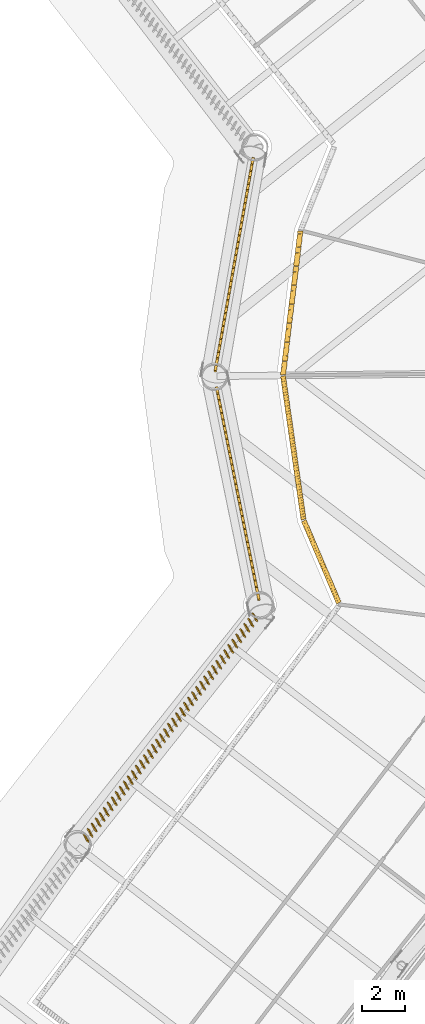
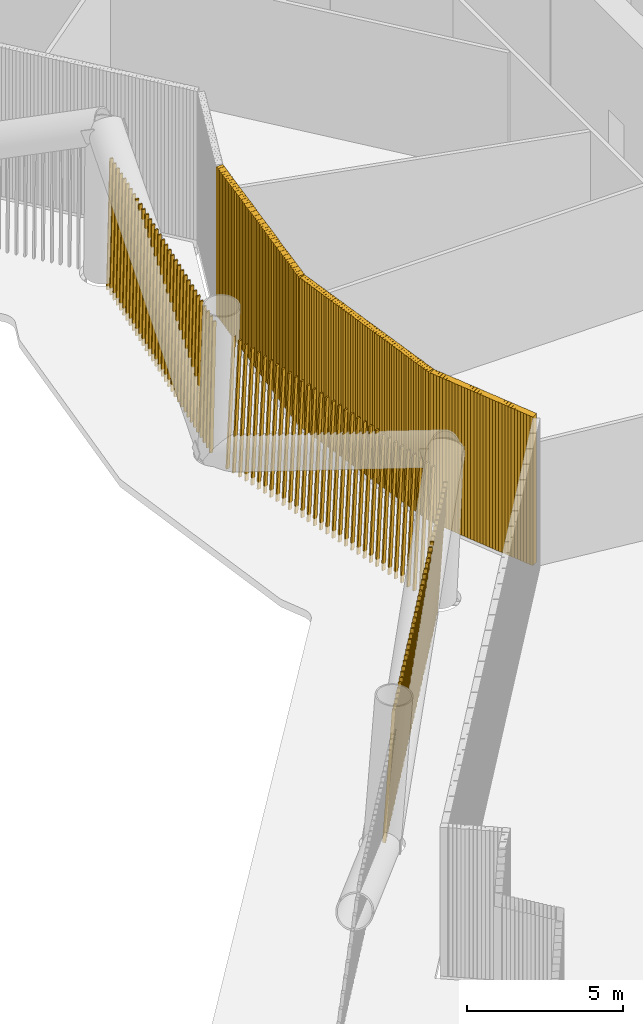
# One storey, part 39 of 48: 6 shading devices.
"""IFC4 building model written with IfcOpenShell, lengths in metres."""

from ifc_helpers import new_model, si_unit, direction, frame, frame_2d, origin, place, context, subcontext, project, spatial, rectangle, composite_profile, extrude, material, type_object, element, save


model = new_model("IFC4")

# Units and contexts
model_context = context("Model", 3, precision=1e-05, world=origin(), true_north=direction((0.0, 1.0)))
body_context = subcontext(model_context, "Body", "Model", "MODEL_VIEW")
ifc_project = project(units=[si_unit("LENGTHUNIT", "METRE"), si_unit("AREAUNIT", "SQUARE_METRE"), si_unit("VOLUMEUNIT", "CUBIC_METRE"), si_unit("PLANEANGLEUNIT", "RADIAN"), si_unit("MASSUNIT", "GRAM", prefix="KILO")], contexts=[model_context])

# Site, building, storey
site_placement = place(None, origin())
site = spatial("IfcSite", under=ifc_project, at=site_placement, CompositionType="ELEMENT")
building_placement = place(site_placement, origin())
building = spatial("IfcBuilding", under=site, at=building_placement, Name="Tarsis Ring Headquarters", CompositionType="ELEMENT")
storey_placement = place(building_placement, frame((0.0, 0.0, 34.0)))
storey = spatial("IfcBuildingStorey", under=building, at=storey_placement, Name="L06", CompositionType="ELEMENT", Elevation=34.0)

# Shading devices
ifc_material_1 = material(Name="Aluminium louvre", Category="aluminium")
shading_device_type_1 = type_object("IfcShadingDeviceType", Name="Plant louvre fin", PredefinedType="USERDEFINED", material=ifc_material_1)
shading_device_1_placement = place(storey_placement, frame((-25.06298828125, 6.418212890625, 0.0), z_axis=(0.0, 0.0, 1.0), x_axis=(-0.120155461117, -0.992771784534, 0.0)))
element("IfcShadingDevice", 1, at=shading_device_1_placement, inside=storey, type_object=shading_device_type_1, Name="Louvre L06-03", ObjectType="Louvre", PredefinedType="USERDEFINED", context=body_context, shape_type="SweptSolid", body=[
    extrude(composite_profile([rectangle(XDim=0.1201171875, YDim=0.239990234375, at=frame_2d((0.076171875, 0.0), x_axis=(0.990268068742, 0.13917310096))), rectangle(XDim=0.1201171875, YDim=0.239990234375, at=frame_2d((0.202392578125, 0.0), x_axis=(0.990268068742, 0.13917310096))), rectangle(XDim=0.1201171875, YDim=0.239990234375, at=frame_2d((0.328857421875, 0.0), x_axis=(0.990268068742, 0.13917310096))), rectangle(XDim=0.1201171875, YDim=0.239990234375, at=frame_2d((0.455078125, 0.0), x_axis=(0.990268068742, 0.13917310096))), rectangle(XDim=0.1201171875, YDim=0.239990234375, at=frame_2d((0.58154296875, 0.0), x_axis=(0.990268068742, 0.13917310096))), rectangle(XDim=0.1201171875, YDim=0.239990234375, at=frame_2d((0.707763671875, 0.0), x_axis=(0.990268068742, 0.13917310096))), rectangle(XDim=0.1201171875, YDim=0.239990234375, at=frame_2d((0.834228515625, 0.0), x_axis=(0.990268068742, 0.13917310096))), rectangle(XDim=0.1201171875, YDim=0.239990234375, at=frame_2d((0.96044921875, 0.0), x_axis=(0.990268068742, 0.13917310096))), rectangle(XDim=0.1201171875, YDim=0.239990234375, at=frame_2d((1.0869140625, 0.0), x_axis=(0.990268068742, 0.13917310096))), rectangle(XDim=0.1201171875, YDim=0.239990234375, at=frame_2d((1.213134765625, 0.0), x_axis=(0.990268068742, 0.13917310096))), rectangle(XDim=0.1201171875, YDim=0.239990234375, at=frame_2d((1.33935546875, 0.0), x_axis=(0.990268068742, 0.13917310096))), rectangle(XDim=0.1201171875, YDim=0.239990234375, at=frame_2d((1.4658203125, 0.0), x_axis=(0.990268068742, 0.13917310096))), rectangle(XDim=0.1201171875, YDim=0.239990234375, at=frame_2d((1.592041015625, 0.0), x_axis=(0.990268068742, 0.13917310096))), rectangle(XDim=0.1201171875, YDim=0.239990234375, at=frame_2d((1.718505859375, 0.0), x_axis=(0.990268068742, 0.13917310096))), rectangle(XDim=0.1201171875, YDim=0.239990234375, at=frame_2d((1.8447265625, 0.0), x_axis=(0.990268068742, 0.13917310096))), rectangle(XDim=0.1201171875, YDim=0.239990234375, at=frame_2d((1.97119140625, 0.0), x_axis=(0.990268068742, 0.13917310096))), rectangle(XDim=0.1201171875, YDim=0.239990234375, at=frame_2d((2.097412109375, 0.0), x_axis=(0.990268068742, 0.13917310096))), rectangle(XDim=0.1201171875, YDim=0.239990234375, at=frame_2d((2.223876953125, 0.0), x_axis=(0.990268068742, 0.13917310096))), rectangle(XDim=0.1201171875, YDim=0.239990234375, at=frame_2d((2.35009765625, 0.0), x_axis=(0.990268068742, 0.13917310096))), rectangle(XDim=0.1201171875, YDim=0.239990234375, at=frame_2d((2.476318359375, 0.0), x_axis=(0.990268068742, 0.13917310096))), rectangle(XDim=0.1201171875, YDim=0.239990234375, at=frame_2d((2.602783203125, 0.0), x_axis=(0.990268068742, 0.13917310096))), rectangle(XDim=0.1201171875, YDim=0.239990234375, at=frame_2d((2.72900390625, 0.0), x_axis=(0.990268068742, 0.13917310096))), rectangle(XDim=0.1201171875, YDim=0.239990234375, at=frame_2d((2.85546875, 0.0), x_axis=(0.990268068742, 0.13917310096))), rectangle(XDim=0.1201171875, YDim=0.239990234375, at=frame_2d((2.981689453125, 0.0), x_axis=(0.990268068742, 0.13917310096))), rectangle(XDim=0.1201171875, YDim=0.239990234375, at=frame_2d((3.108154296875, 0.0), x_axis=(0.990268068742, 0.13917310096))), rectangle(XDim=0.1201171875, YDim=0.239990234375, at=frame_2d((3.234375, 0.0), x_axis=(0.990268068742, 0.13917310096))), rectangle(XDim=0.1201171875, YDim=0.239990234375, at=frame_2d((3.36083984375, 0.0), x_axis=(0.990268068742, 0.13917310096))), rectangle(XDim=0.1201171875, YDim=0.239990234375, at=frame_2d((3.487060546875, 0.0), x_axis=(0.990268068742, 0.13917310096))), rectangle(XDim=0.1201171875, YDim=0.239990234375, at=frame_2d((3.61328125, 0.0), x_axis=(0.990268068742, 0.13917310096))), rectangle(XDim=0.1201171875, YDim=0.239990234375, at=frame_2d((3.73974609375, 0.0), x_axis=(0.990268068742, 0.13917310096))), rectangle(XDim=0.1201171875, YDim=0.239990234375, at=frame_2d((3.865966796875, 0.0), x_axis=(0.990268068742, 0.13917310096))), rectangle(XDim=0.1201171875, YDim=0.239990234375, at=frame_2d((3.992431640625, 0.0), x_axis=(0.990268068742, 0.13917310096))), rectangle(XDim=0.1201171875, YDim=0.239990234375, at=frame_2d((4.11865234375, 0.0), x_axis=(0.990268068742, 0.13917310096))), rectangle(XDim=0.1201171875, YDim=0.239990234375, at=frame_2d((4.2451171875, 0.0), x_axis=(0.990268068742, 0.13917310096))), rectangle(XDim=0.1201171875, YDim=0.239990234375, at=frame_2d((4.371337890625, 0.0), x_axis=(0.990268068742, 0.13917310096))), rectangle(XDim=0.1201171875, YDim=0.239990234375, at=frame_2d((4.49755859375, 0.0), x_axis=(0.990268068742, 0.13917310096))), rectangle(XDim=0.1201171875, YDim=0.239990234375, at=frame_2d((4.6240234375, 0.0), x_axis=(0.990268068742, 0.13917310096))), rectangle(XDim=0.1201171875, YDim=0.239990234375, at=frame_2d((4.750244140625, 0.0), x_axis=(0.990268068742, 0.13917310096))), rectangle(XDim=0.1201171875, YDim=0.239990234375, at=frame_2d((4.876708984375, 0.0), x_axis=(0.990268068742, 0.13917310096))), rectangle(XDim=0.1201171875, YDim=0.239990234375, at=frame_2d((5.0029296875, 0.0), x_axis=(0.990268068742, 0.13917310096))), rectangle(XDim=0.1201171875, YDim=0.239990234375, at=frame_2d((5.12939453125, 0.0), x_axis=(0.990268068742, 0.13917310096))), rectangle(XDim=0.1201171875, YDim=0.239990234375, at=frame_2d((5.255615234375, 0.0), x_axis=(0.990268068742, 0.13917310096))), rectangle(XDim=0.1201171875, YDim=0.239990234375, at=frame_2d((5.382080078125, 0.0), x_axis=(0.990268068742, 0.13917310096))), rectangle(XDim=0.1201171875, YDim=0.239990234375, at=frame_2d((5.50830078125, 0.0), x_axis=(0.990268068742, 0.13917310096))), rectangle(XDim=0.1201171875, YDim=0.239990234375, at=frame_2d((5.634521484375, 0.0), x_axis=(0.990268068742, 0.13917310096))), rectangle(XDim=0.1201171875, YDim=0.239990234375, at=frame_2d((5.760986328125, 0.0), x_axis=(0.990268068742, 0.13917310096))), rectangle(XDim=0.1201171875, YDim=0.239990234375, at=frame_2d((5.88720703125, 0.0), x_axis=(0.990268068742, 0.13917310096))), rectangle(XDim=0.1201171875, YDim=0.239990234375, at=frame_2d((6.013671875, 0.0), x_axis=(0.990268068742, 0.13917310096))), rectangle(XDim=0.1201171875, YDim=0.239990234375, at=frame_2d((6.139892578125, 0.0), x_axis=(0.990268068742, 0.13917310096))), rectangle(XDim=0.1201171875, YDim=0.239990234375, at=frame_2d((6.266357421875, 0.0), x_axis=(0.990268068742, 0.13917310096))), rectangle(XDim=0.1201171875, YDim=0.239990234375, at=frame_2d((6.392578125, 0.0), x_axis=(0.990268068742, 0.13917310096))), rectangle(XDim=0.1201171875, YDim=0.239990234375, at=frame_2d((6.51904296875, 0.0), x_axis=(0.990268068742, 0.13917310096))), rectangle(XDim=0.1201171875, YDim=0.239990234375, at=frame_2d((6.645263671875, 0.0), x_axis=(0.990268068742, 0.13917310096)))]), origin(), (0.0, 0.0, 1.0), 5.840087890625),
])
shading_device_2_placement = place(storey_placement, frame((-25.8701171875, -0.287353515625, 0.0), z_axis=(0.0, 0.0, 1.0), x_axis=(0.140895717555, -0.990011260034, 0.0)))
element("IfcShadingDevice", 2, at=shading_device_2_placement, inside=storey, type_object=shading_device_type_1, Name="Louvre L06-04", ObjectType="Louvre", PredefinedType="USERDEFINED", context=body_context, shape_type="SweptSolid", body=[
    extrude(composite_profile([rectangle(XDim=0.1201171875, YDim=0.239990234375, at=frame_2d((0.076171875, 0.0), x_axis=(0.990268068742, 0.13917310096))), rectangle(XDim=0.1201171875, YDim=0.239990234375, at=frame_2d((0.202392578125, 0.0), x_axis=(0.990268068742, 0.13917310096))), rectangle(XDim=0.1201171875, YDim=0.239990234375, at=frame_2d((0.328857421875, 0.0), x_axis=(0.990268068742, 0.13917310096))), rectangle(XDim=0.1201171875, YDim=0.239990234375, at=frame_2d((0.455078125, 0.0), x_axis=(0.990268068742, 0.13917310096))), rectangle(XDim=0.1201171875, YDim=0.239990234375, at=frame_2d((0.58154296875, 0.0), x_axis=(0.990268068742, 0.13917310096))), rectangle(XDim=0.1201171875, YDim=0.239990234375, at=frame_2d((0.707763671875, 0.0), x_axis=(0.990268068742, 0.13917310096))), rectangle(XDim=0.1201171875, YDim=0.239990234375, at=frame_2d((0.834228515625, 0.0), x_axis=(0.990268068742, 0.13917310096))), rectangle(XDim=0.1201171875, YDim=0.239990234375, at=frame_2d((0.96044921875, 0.0), x_axis=(0.990268068742, 0.13917310096))), rectangle(XDim=0.1201171875, YDim=0.239990234375, at=frame_2d((1.0869140625, 0.0), x_axis=(0.990268068742, 0.13917310096))), rectangle(XDim=0.1201171875, YDim=0.239990234375, at=frame_2d((1.213134765625, 0.0), x_axis=(0.990268068742, 0.13917310096))), rectangle(XDim=0.1201171875, YDim=0.239990234375, at=frame_2d((1.33935546875, 0.0), x_axis=(0.990268068742, 0.13917310096))), rectangle(XDim=0.1201171875, YDim=0.239990234375, at=frame_2d((1.4658203125, 0.0), x_axis=(0.990268068742, 0.13917310096))), rectangle(XDim=0.1201171875, YDim=0.239990234375, at=frame_2d((1.592041015625, 0.0), x_axis=(0.990268068742, 0.13917310096))), rectangle(XDim=0.1201171875, YDim=0.239990234375, at=frame_2d((1.718505859375, 0.0), x_axis=(0.990268068742, 0.13917310096))), rectangle(XDim=0.1201171875, YDim=0.239990234375, at=frame_2d((1.8447265625, 0.0), x_axis=(0.990268068742, 0.13917310096))), rectangle(XDim=0.1201171875, YDim=0.239990234375, at=frame_2d((1.97119140625, 0.0), x_axis=(0.990268068742, 0.13917310096))), rectangle(XDim=0.1201171875, YDim=0.239990234375, at=frame_2d((2.097412109375, 0.0), x_axis=(0.990268068742, 0.13917310096))), rectangle(XDim=0.1201171875, YDim=0.239990234375, at=frame_2d((2.223876953125, 0.0), x_axis=(0.990268068742, 0.13917310096))), rectangle(XDim=0.1201171875, YDim=0.239990234375, at=frame_2d((2.35009765625, 0.0), x_axis=(0.990268068742, 0.13917310096))), rectangle(XDim=0.1201171875, YDim=0.239990234375, at=frame_2d((2.476318359375, 0.0), x_axis=(0.990268068742, 0.13917310096))), rectangle(XDim=0.1201171875, YDim=0.239990234375, at=frame_2d((2.602783203125, 0.0), x_axis=(0.990268068742, 0.13917310096))), rectangle(XDim=0.1201171875, YDim=0.239990234375, at=frame_2d((2.72900390625, 0.0), x_axis=(0.990268068742, 0.13917310096))), rectangle(XDim=0.1201171875, YDim=0.239990234375, at=frame_2d((2.85546875, 0.0), x_axis=(0.990268068742, 0.13917310096))), rectangle(XDim=0.1201171875, YDim=0.239990234375, at=frame_2d((2.981689453125, 0.0), x_axis=(0.990268068742, 0.13917310096))), rectangle(XDim=0.1201171875, YDim=0.239990234375, at=frame_2d((3.108154296875, 0.0), x_axis=(0.990268068742, 0.13917310096))), rectangle(XDim=0.1201171875, YDim=0.239990234375, at=frame_2d((3.234375, 0.0), x_axis=(0.990268068742, 0.13917310096))), rectangle(XDim=0.1201171875, YDim=0.239990234375, at=frame_2d((3.36083984375, 0.0), x_axis=(0.990268068742, 0.13917310096))), rectangle(XDim=0.1201171875, YDim=0.239990234375, at=frame_2d((3.487060546875, 0.0), x_axis=(0.990268068742, 0.13917310096))), rectangle(XDim=0.1201171875, YDim=0.239990234375, at=frame_2d((3.61328125, 0.0), x_axis=(0.990268068742, 0.13917310096))), rectangle(XDim=0.1201171875, YDim=0.239990234375, at=frame_2d((3.73974609375, 0.0), x_axis=(0.990268068742, 0.13917310096))), rectangle(XDim=0.1201171875, YDim=0.239990234375, at=frame_2d((3.865966796875, 0.0), x_axis=(0.990268068742, 0.13917310096))), rectangle(XDim=0.1201171875, YDim=0.239990234375, at=frame_2d((3.992431640625, 0.0), x_axis=(0.990268068742, 0.13917310096))), rectangle(XDim=0.1201171875, YDim=0.239990234375, at=frame_2d((4.11865234375, 0.0), x_axis=(0.990268068742, 0.13917310096))), rectangle(XDim=0.1201171875, YDim=0.239990234375, at=frame_2d((4.2451171875, 0.0), x_axis=(0.990268068742, 0.13917310096))), rectangle(XDim=0.1201171875, YDim=0.239990234375, at=frame_2d((4.371337890625, 0.0), x_axis=(0.990268068742, 0.13917310096))), rectangle(XDim=0.1201171875, YDim=0.239990234375, at=frame_2d((4.49755859375, 0.0), x_axis=(0.990268068742, 0.13917310096))), rectangle(XDim=0.1201171875, YDim=0.239990234375, at=frame_2d((4.6240234375, 0.0), x_axis=(0.990268068742, 0.13917310096))), rectangle(XDim=0.1201171875, YDim=0.239990234375, at=frame_2d((4.750244140625, 0.0), x_axis=(0.990268068742, 0.13917310096))), rectangle(XDim=0.1201171875, YDim=0.239990234375, at=frame_2d((4.876708984375, 0.0), x_axis=(0.990268068742, 0.13917310096))), rectangle(XDim=0.1201171875, YDim=0.239990234375, at=frame_2d((5.0029296875, 0.0), x_axis=(0.990268068742, 0.13917310096))), rectangle(XDim=0.1201171875, YDim=0.239990234375, at=frame_2d((5.12939453125, 0.0), x_axis=(0.990268068742, 0.13917310096))), rectangle(XDim=0.1201171875, YDim=0.239990234375, at=frame_2d((5.255615234375, 0.0), x_axis=(0.990268068742, 0.13917310096))), rectangle(XDim=0.1201171875, YDim=0.239990234375, at=frame_2d((5.382080078125, 0.0), x_axis=(0.990268068742, 0.13917310096))), rectangle(XDim=0.1201171875, YDim=0.239990234375, at=frame_2d((5.50830078125, 0.0), x_axis=(0.990268068742, 0.13917310096))), rectangle(XDim=0.1201171875, YDim=0.239990234375, at=frame_2d((5.634521484375, 0.0), x_axis=(0.990268068742, 0.13917310096))), rectangle(XDim=0.1201171875, YDim=0.239990234375, at=frame_2d((5.760986328125, 0.0), x_axis=(0.990268068742, 0.13917310096))), rectangle(XDim=0.1201171875, YDim=0.239990234375, at=frame_2d((5.88720703125, 0.0), x_axis=(0.990268068742, 0.13917310096))), rectangle(XDim=0.1201171875, YDim=0.239990234375, at=frame_2d((6.013671875, 0.0), x_axis=(0.990268068742, 0.13917310096))), rectangle(XDim=0.1201171875, YDim=0.239990234375, at=frame_2d((6.139892578125, 0.0), x_axis=(0.990268068742, 0.13917310096))), rectangle(XDim=0.1201171875, YDim=0.239990234375, at=frame_2d((6.266357421875, 0.0), x_axis=(0.990268068742, 0.13917310096))), rectangle(XDim=0.1201171875, YDim=0.239990234375, at=frame_2d((6.392578125, 0.0), x_axis=(0.990268068742, 0.13917310096))), rectangle(XDim=0.1201171875, YDim=0.239990234375, at=frame_2d((6.51904296875, 0.0), x_axis=(0.990268068742, 0.13917310096))), rectangle(XDim=0.1201171875, YDim=0.239990234375, at=frame_2d((6.645263671875, 0.0), x_axis=(0.990268068742, 0.13917310096)))]), origin(), (0.0, 0.0, 1.0), 5.840087890625),
])
shading_device_3_placement = place(storey_placement, frame((-24.914306640625, -6.97314453125, 0.0), z_axis=(0.0, 0.0, 1.0), x_axis=(0.392330729931, -0.919842621411, 0.0)))
element("IfcShadingDevice", 3, at=shading_device_3_placement, inside=storey, type_object=shading_device_type_1, Name="Louvre L06-05", ObjectType="Louvre", PredefinedType="USERDEFINED", context=body_context, shape_type="SweptSolid", body=[
    extrude(composite_profile([rectangle(XDim=0.1201171875, YDim=0.239990234375, at=frame_2d((0.076171875, 0.0), x_axis=(0.990268068742, 0.13917310096))), rectangle(XDim=0.1201171875, YDim=0.239990234375, at=frame_2d((0.201416015625, 0.0), x_axis=(0.990268068742, 0.13917310096))), rectangle(XDim=0.1201171875, YDim=0.239990234375, at=frame_2d((0.326416015625, 0.0), x_axis=(0.990268068742, 0.13917310096))), rectangle(XDim=0.1201171875, YDim=0.239990234375, at=frame_2d((0.45166015625, 0.0), x_axis=(0.990268068742, 0.13917310096))), rectangle(XDim=0.1201171875, YDim=0.239990234375, at=frame_2d((0.576904296875, 0.0), x_axis=(0.990268068742, 0.13917310096))), rectangle(XDim=0.1201171875, YDim=0.239990234375, at=frame_2d((0.701904296875, 0.0), x_axis=(0.990268068742, 0.13917310096))), rectangle(XDim=0.1201171875, YDim=0.239990234375, at=frame_2d((0.8271484375, 0.0), x_axis=(0.990268068742, 0.13917310096))), rectangle(XDim=0.1201171875, YDim=0.239990234375, at=frame_2d((0.952392578125, 0.0), x_axis=(0.990268068742, 0.13917310096))), rectangle(XDim=0.1201171875, YDim=0.239990234375, at=frame_2d((1.077392578125, 0.0), x_axis=(0.990268068742, 0.13917310096))), rectangle(XDim=0.1201171875, YDim=0.239990234375, at=frame_2d((1.20263671875, 0.0), x_axis=(0.990268068742, 0.13917310096))), rectangle(XDim=0.1201171875, YDim=0.239990234375, at=frame_2d((1.327880859375, 0.0), x_axis=(0.990268068742, 0.13917310096))), rectangle(XDim=0.1201171875, YDim=0.239990234375, at=frame_2d((1.452880859375, 0.0), x_axis=(0.990268068742, 0.13917310096))), rectangle(XDim=0.1201171875, YDim=0.239990234375, at=frame_2d((1.578125, 0.0), x_axis=(0.990268068742, 0.13917310096))), rectangle(XDim=0.1201171875, YDim=0.239990234375, at=frame_2d((1.703369140625, 0.0), x_axis=(0.990268068742, 0.13917310096))), rectangle(XDim=0.1201171875, YDim=0.239990234375, at=frame_2d((1.828369140625, 0.0), x_axis=(0.990268068742, 0.13917310096))), rectangle(XDim=0.1201171875, YDim=0.239990234375, at=frame_2d((1.95361328125, 0.0), x_axis=(0.990268068742, 0.13917310096))), rectangle(XDim=0.1201171875, YDim=0.239990234375, at=frame_2d((2.07861328125, 0.0), x_axis=(0.990268068742, 0.13917310096))), rectangle(XDim=0.1201171875, YDim=0.239990234375, at=frame_2d((2.203857421875, 0.0), x_axis=(0.990268068742, 0.13917310096))), rectangle(XDim=0.1201171875, YDim=0.239990234375, at=frame_2d((2.3291015625, 0.0), x_axis=(0.990268068742, 0.13917310096))), rectangle(XDim=0.1201171875, YDim=0.239990234375, at=frame_2d((2.4541015625, 0.0), x_axis=(0.990268068742, 0.13917310096))), rectangle(XDim=0.1201171875, YDim=0.239990234375, at=frame_2d((2.579345703125, 0.0), x_axis=(0.990268068742, 0.13917310096))), rectangle(XDim=0.1201171875, YDim=0.239990234375, at=frame_2d((2.70458984375, 0.0), x_axis=(0.990268068742, 0.13917310096))), rectangle(XDim=0.1201171875, YDim=0.239990234375, at=frame_2d((2.82958984375, 0.0), x_axis=(0.990268068742, 0.13917310096))), rectangle(XDim=0.1201171875, YDim=0.239990234375, at=frame_2d((2.954833984375, 0.0), x_axis=(0.990268068742, 0.13917310096))), rectangle(XDim=0.1201171875, YDim=0.239990234375, at=frame_2d((3.080078125, 0.0), x_axis=(0.990268068742, 0.13917310096))), rectangle(XDim=0.1201171875, YDim=0.239990234375, at=frame_2d((3.205078125, 0.0), x_axis=(0.990268068742, 0.13917310096))), rectangle(XDim=0.1201171875, YDim=0.239990234375, at=frame_2d((3.330322265625, 0.0), x_axis=(0.990268068742, 0.13917310096))), rectangle(XDim=0.1201171875, YDim=0.239990234375, at=frame_2d((3.45556640625, 0.0), x_axis=(0.990268068742, 0.13917310096))), rectangle(XDim=0.1201171875, YDim=0.239990234375, at=frame_2d((3.58056640625, 0.0), x_axis=(0.990268068742, 0.13917310096))), rectangle(XDim=0.1201171875, YDim=0.239990234375, at=frame_2d((3.705810546875, 0.0), x_axis=(0.990268068742, 0.13917310096))), rectangle(XDim=0.1201171875, YDim=0.239990234375, at=frame_2d((3.8310546875, 0.0), x_axis=(0.990268068742, 0.13917310096))), rectangle(XDim=0.1201171875, YDim=0.239990234375, at=frame_2d((3.9560546875, 0.0), x_axis=(0.990268068742, 0.13917310096))), rectangle(XDim=0.1201171875, YDim=0.239990234375, at=frame_2d((4.081298828125, 0.0), x_axis=(0.990268068742, 0.13917310096)))]), origin(), (0.0, 0.0, 1.0), 5.840087890625),
])
ifc_material_2 = material(Name="Terracotta baguette", Category="masonry")
shading_device_type_2 = type_object("IfcShadingDeviceType", Name="Terracotta baguette screen", PredefinedType="USERDEFINED", material=ifc_material_2)
shading_device_4_placement = place(storey_placement, frame((-28.948974609375, -0.79443359375, -0.300048828125), z_axis=(0.0, 0.0, 1.0), x_axis=(0.195677701437, -0.980662086196, 0.0)))
element("IfcShadingDevice", 4, at=shading_device_4_placement, inside=storey, type_object=shading_device_type_2, Name="Baguette screen L06-00", ObjectType="Terracotta baguette screen", PredefinedType="USERDEFINED", context=body_context, shape_type="SweptSolid", body=[
    extrude(composite_profile([rectangle(XDim=0.06005859375, YDim=0.1201171875, at=frame_2d((0.030029296875, 0.0))), rectangle(XDim=0.06005859375, YDim=0.1201171875, at=frame_2d((0.33349609375, 0.0))), rectangle(XDim=0.06005859375, YDim=0.1201171875, at=frame_2d((0.636962890625, 0.0))), rectangle(XDim=0.06005859375, YDim=0.1201171875, at=frame_2d((0.9404296875, 0.0))), rectangle(XDim=0.06005859375, YDim=0.1201171875, at=frame_2d((1.243896484375, 0.0))), rectangle(XDim=0.06005859375, YDim=0.1201171875, at=frame_2d((1.54736328125, 0.0))), rectangle(XDim=0.06005859375, YDim=0.1201171875, at=frame_2d((1.85107421875, 0.0))), rectangle(XDim=0.06005859375, YDim=0.1201171875, at=frame_2d((2.154541015625, 0.0))), rectangle(XDim=0.06005859375, YDim=0.1201171875, at=frame_2d((2.4580078125, 0.0))), rectangle(XDim=0.06005859375, YDim=0.1201171875, at=frame_2d((2.761474609375, 0.0))), rectangle(XDim=0.06005859375, YDim=0.1201171875, at=frame_2d((3.06494140625, 0.0))), rectangle(XDim=0.06005859375, YDim=0.1201171875, at=frame_2d((3.368408203125, 0.0))), rectangle(XDim=0.06005859375, YDim=0.1201171875, at=frame_2d((3.671875, 0.0))), rectangle(XDim=0.06005859375, YDim=0.1201171875, at=frame_2d((3.975341796875, 0.0))), rectangle(XDim=0.06005859375, YDim=0.1201171875, at=frame_2d((4.27880859375, 0.0))), rectangle(XDim=0.06005859375, YDim=0.1201171875, at=frame_2d((4.582275390625, 0.0))), rectangle(XDim=0.06005859375, YDim=0.1201171875, at=frame_2d((4.8857421875, 0.0))), rectangle(XDim=0.06005859375, YDim=0.1201171875, at=frame_2d((5.189453125, 0.0))), rectangle(XDim=0.06005859375, YDim=0.1201171875, at=frame_2d((5.492919921875, 0.0))), rectangle(XDim=0.06005859375, YDim=0.1201171875, at=frame_2d((5.79638671875, 0.0))), rectangle(XDim=0.06005859375, YDim=0.1201171875, at=frame_2d((6.099853515625, 0.0))), rectangle(XDim=0.06005859375, YDim=0.1201171875, at=frame_2d((6.4033203125, 0.0))), rectangle(XDim=0.06005859375, YDim=0.1201171875, at=frame_2d((6.706787109375, 0.0))), rectangle(XDim=0.06005859375, YDim=0.1201171875, at=frame_2d((7.01025390625, 0.0))), rectangle(XDim=0.06005859375, YDim=0.1201171875, at=frame_2d((7.313720703125, 0.0))), rectangle(XDim=0.06005859375, YDim=0.1201171875, at=frame_2d((7.6171875, 0.0))), rectangle(XDim=0.06005859375, YDim=0.1201171875, at=frame_2d((7.920654296875, 0.0))), rectangle(XDim=0.06005859375, YDim=0.1201171875, at=frame_2d((8.224365234375, 0.0))), rectangle(XDim=0.06005859375, YDim=0.1201171875, at=frame_2d((8.52783203125, 0.0))), rectangle(XDim=0.06005859375, YDim=0.1201171875, at=frame_2d((8.831298828125, 0.0))), rectangle(XDim=0.06005859375, YDim=0.1201171875, at=frame_2d((9.134765625, 0.0))), rectangle(XDim=0.06005859375, YDim=0.1201171875, at=frame_2d((9.438232421875, 0.0))), rectangle(XDim=0.06005859375, YDim=0.1201171875, at=frame_2d((9.74169921875, 0.0)))]), origin(), (0.055758319125, 0.00029246379, 0.998444251981), 5.36083984375),
])
shading_device_5_placement = place(storey_placement, frame((-27.24267578125, -11.264892578125, -0.300048828125), z_axis=(0.0, 0.0, 1.0), x_axis=(-0.607376009991, -0.794425416769, 0.0)))
element("IfcShadingDevice", 5, at=shading_device_5_placement, inside=storey, type_object=shading_device_type_2, Name="Baguette screen L06-01", ObjectType="Terracotta baguette screen", PredefinedType="USERDEFINED", context=body_context, shape_type="SweptSolid", body=[
    extrude(composite_profile([rectangle(XDim=0.06005859375, YDim=0.1201171875, at=frame_2d((0.030029296875, 0.0))), rectangle(XDim=0.06005859375, YDim=0.1201171875, at=frame_2d((0.335693359375, 0.0))), rectangle(XDim=0.06005859375, YDim=0.1201171875, at=frame_2d((0.6416015625, 0.0))), rectangle(XDim=0.06005859375, YDim=0.1201171875, at=frame_2d((0.947265625, 0.0))), rectangle(XDim=0.06005859375, YDim=0.1201171875, at=frame_2d((1.253173828125, 0.0))), rectangle(XDim=0.06005859375, YDim=0.1201171875, at=frame_2d((1.558837890625, 0.0))), rectangle(XDim=0.06005859375, YDim=0.1201171875, at=frame_2d((1.864501953125, 0.0))), rectangle(XDim=0.06005859375, YDim=0.1201171875, at=frame_2d((2.17041015625, 0.0))), rectangle(XDim=0.06005859375, YDim=0.1201171875, at=frame_2d((2.47607421875, 0.0))), rectangle(XDim=0.06005859375, YDim=0.1201171875, at=frame_2d((2.781982421875, 0.0))), rectangle(XDim=0.06005859375, YDim=0.1201171875, at=frame_2d((3.087646484375, 0.0))), rectangle(XDim=0.06005859375, YDim=0.1201171875, at=frame_2d((3.393310546875, 0.0))), rectangle(XDim=0.06005859375, YDim=0.1201171875, at=frame_2d((3.69921875, 0.0))), rectangle(XDim=0.06005859375, YDim=0.1201171875, at=frame_2d((4.0048828125, 0.0))), rectangle(XDim=0.06005859375, YDim=0.1201171875, at=frame_2d((4.310791015625, 0.0))), rectangle(XDim=0.06005859375, YDim=0.1201171875, at=frame_2d((4.616455078125, 0.0))), rectangle(XDim=0.06005859375, YDim=0.1201171875, at=frame_2d((4.922119140625, 0.0))), rectangle(XDim=0.06005859375, YDim=0.1201171875, at=frame_2d((5.22802734375, 0.0))), rectangle(XDim=0.06005859375, YDim=0.1201171875, at=frame_2d((5.53369140625, 0.0))), rectangle(XDim=0.06005859375, YDim=0.1201171875, at=frame_2d((5.839599609375, 0.0))), rectangle(XDim=0.06005859375, YDim=0.1201171875, at=frame_2d((6.145263671875, 0.0))), rectangle(XDim=0.06005859375, YDim=0.1201171875, at=frame_2d((6.451171875, 0.0))), rectangle(XDim=0.06005859375, YDim=0.1201171875, at=frame_2d((6.7568359375, 0.0))), rectangle(XDim=0.06005859375, YDim=0.1201171875, at=frame_2d((7.0625, 0.0))), rectangle(XDim=0.06005859375, YDim=0.1201171875, at=frame_2d((7.368408203125, 0.0))), rectangle(XDim=0.06005859375, YDim=0.1201171875, at=frame_2d((7.674072265625, 0.0))), rectangle(XDim=0.06005859375, YDim=0.1201171875, at=frame_2d((7.97998046875, 0.0))), rectangle(XDim=0.06005859375, YDim=0.1201171875, at=frame_2d((8.28564453125, 0.0))), rectangle(XDim=0.06005859375, YDim=0.1201171875, at=frame_2d((8.59130859375, 0.0))), rectangle(XDim=0.06005859375, YDim=0.1201171875, at=frame_2d((8.897216796875, 0.0))), rectangle(XDim=0.06005859375, YDim=0.1201171875, at=frame_2d((9.202880859375, 0.0))), rectangle(XDim=0.06005859375, YDim=0.1201171875, at=frame_2d((9.5087890625, 0.0))), rectangle(XDim=0.06005859375, YDim=0.1201171875, at=frame_2d((9.814453125, 0.0))), rectangle(XDim=0.06005859375, YDim=0.1201171875, at=frame_2d((10.1201171875, 0.0))), rectangle(XDim=0.06005859375, YDim=0.1201171875, at=frame_2d((10.426025390625, 0.0))), rectangle(XDim=0.06005859375, YDim=0.1201171875, at=frame_2d((10.731689453125, 0.0))), rectangle(XDim=0.06005859375, YDim=0.1201171875, at=frame_2d((11.03759765625, 0.0))), rectangle(XDim=0.06005859375, YDim=0.1201171875, at=frame_2d((11.34326171875, 0.0))), rectangle(XDim=0.06005859375, YDim=0.1201171875, at=frame_2d((11.64892578125, 0.0))), rectangle(XDim=0.06005859375, YDim=0.1201171875, at=frame_2d((11.954833984375, 0.0))), rectangle(XDim=0.06005859375, YDim=0.1201171875, at=frame_2d((12.260498046875, 0.0))), rectangle(XDim=0.06005859375, YDim=0.1201171875, at=frame_2d((12.56640625, 0.0))), rectangle(XDim=0.06005859375, YDim=0.1201171875, at=frame_2d((12.8720703125, 0.0)))]), origin(), (0.028560644415, 0.062504683756, 0.997635932642), 5.365234375),
])
shading_device_6_placement = place(storey_placement, frame((-27.248291015625, 9.808837890625, -0.300048828125), z_axis=(0.0, 0.0, 1.0), x_axis=(-0.17511555278, -0.984559650219, 0.0)))
element("IfcShadingDevice", 6, at=shading_device_6_placement, inside=storey, type_object=shading_device_type_2, Name="Baguette screen L06-21", ObjectType="Terracotta baguette screen", PredefinedType="USERDEFINED", context=body_context, shape_type="SweptSolid", body=[
    extrude(composite_profile([rectangle(XDim=0.06005859375, YDim=0.1201171875, at=frame_2d((0.030029296875, 0.0))), rectangle(XDim=0.06005859375, YDim=0.1201171875, at=frame_2d((0.33349609375, 0.0))), rectangle(XDim=0.06005859375, YDim=0.1201171875, at=frame_2d((0.636962890625, 0.0))), rectangle(XDim=0.06005859375, YDim=0.1201171875, at=frame_2d((0.9404296875, 0.0))), rectangle(XDim=0.06005859375, YDim=0.1201171875, at=frame_2d((1.243896484375, 0.0))), rectangle(XDim=0.06005859375, YDim=0.1201171875, at=frame_2d((1.54736328125, 0.0))), rectangle(XDim=0.06005859375, YDim=0.1201171875, at=frame_2d((1.85107421875, 0.0))), rectangle(XDim=0.06005859375, YDim=0.1201171875, at=frame_2d((2.154541015625, 0.0))), rectangle(XDim=0.06005859375, YDim=0.1201171875, at=frame_2d((2.4580078125, 0.0))), rectangle(XDim=0.06005859375, YDim=0.1201171875, at=frame_2d((2.761474609375, 0.0))), rectangle(XDim=0.06005859375, YDim=0.1201171875, at=frame_2d((3.06494140625, 0.0))), rectangle(XDim=0.06005859375, YDim=0.1201171875, at=frame_2d((3.368408203125, 0.0))), rectangle(XDim=0.06005859375, YDim=0.1201171875, at=frame_2d((3.671875, 0.0))), rectangle(XDim=0.06005859375, YDim=0.1201171875, at=frame_2d((3.975341796875, 0.0))), rectangle(XDim=0.06005859375, YDim=0.1201171875, at=frame_2d((4.27880859375, 0.0))), rectangle(XDim=0.06005859375, YDim=0.1201171875, at=frame_2d((4.582275390625, 0.0))), rectangle(XDim=0.06005859375, YDim=0.1201171875, at=frame_2d((4.8857421875, 0.0))), rectangle(XDim=0.06005859375, YDim=0.1201171875, at=frame_2d((5.189453125, 0.0))), rectangle(XDim=0.06005859375, YDim=0.1201171875, at=frame_2d((5.492919921875, 0.0))), rectangle(XDim=0.06005859375, YDim=0.1201171875, at=frame_2d((5.79638671875, 0.0))), rectangle(XDim=0.06005859375, YDim=0.1201171875, at=frame_2d((6.099853515625, 0.0))), rectangle(XDim=0.06005859375, YDim=0.1201171875, at=frame_2d((6.4033203125, 0.0))), rectangle(XDim=0.06005859375, YDim=0.1201171875, at=frame_2d((6.706787109375, 0.0))), rectangle(XDim=0.06005859375, YDim=0.1201171875, at=frame_2d((7.01025390625, 0.0))), rectangle(XDim=0.06005859375, YDim=0.1201171875, at=frame_2d((7.313720703125, 0.0))), rectangle(XDim=0.06005859375, YDim=0.1201171875, at=frame_2d((7.6171875, 0.0))), rectangle(XDim=0.06005859375, YDim=0.1201171875, at=frame_2d((7.920654296875, 0.0))), rectangle(XDim=0.06005859375, YDim=0.1201171875, at=frame_2d((8.224365234375, 0.0))), rectangle(XDim=0.06005859375, YDim=0.1201171875, at=frame_2d((8.52783203125, 0.0))), rectangle(XDim=0.06005859375, YDim=0.1201171875, at=frame_2d((8.831298828125, 0.0))), rectangle(XDim=0.06005859375, YDim=0.1201171875, at=frame_2d((9.134765625, 0.0))), rectangle(XDim=0.06005859375, YDim=0.1201171875, at=frame_2d((9.438232421875, 0.0))), rectangle(XDim=0.06005859375, YDim=0.1201171875, at=frame_2d((9.74169921875, 0.0)))]), origin(), (0.055759309459, 0.000292184172, 0.998444196757), 5.36083984375),
])

save(model, "model.ifc")
